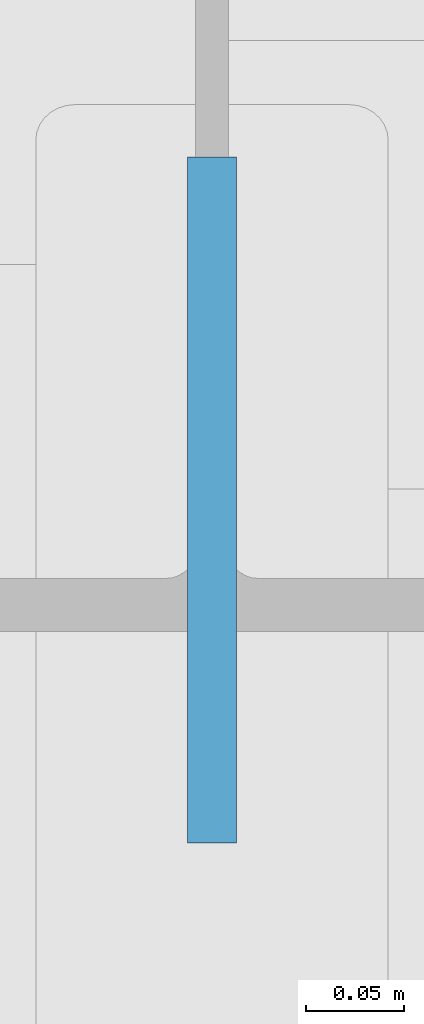
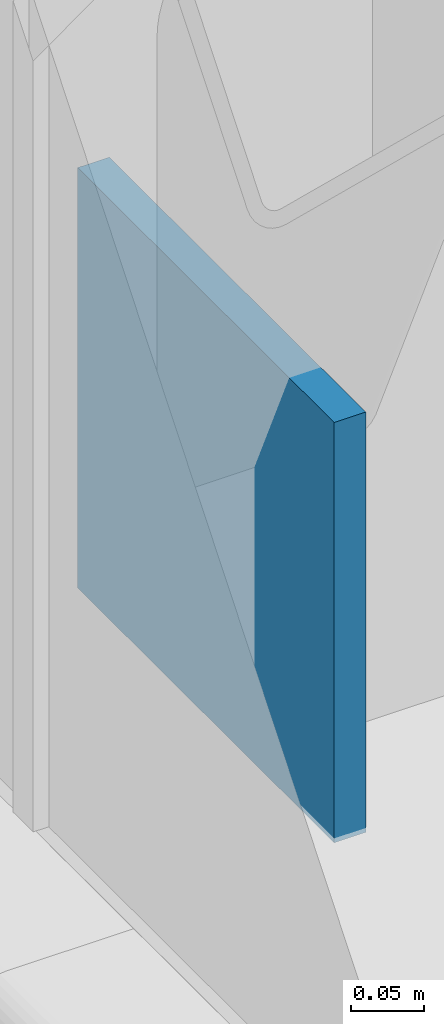
# One storey, part 77 of 105: 1 discrete accessory.
"""IFC4 building model written with IfcOpenShell, lengths in metres."""

from ifc_helpers import new_model, si_unit, direction, frame, origin, origin_2d, place, context, subcontext, project, spatial, rectangle, extrude, material, type_object, element, save


model = new_model("IFC4")

# Units and contexts
model_context = context("Model", 3, precision=1e-05, world=origin(), true_north=direction((0.0, 1.0)))
body_context = subcontext(model_context, "Body", "Model", "MODEL_VIEW")
ifc_project = project(units=[si_unit("LENGTHUNIT", "METRE"), si_unit("AREAUNIT", "SQUARE_METRE"), si_unit("VOLUMEUNIT", "CUBIC_METRE"), si_unit("PLANEANGLEUNIT", "RADIAN"), si_unit("MASSUNIT", "GRAM", prefix="KILO")], contexts=[model_context])

# Site, building, storey
site_placement = place(None, origin())
site = spatial("IfcSite", under=ifc_project, at=site_placement, CompositionType="ELEMENT")
building_placement = place(site_placement, origin())
building = spatial("IfcBuilding", under=site, at=building_placement, Name="Mirzam Square Science Centre", CompositionType="ELEMENT")
storey_placement = place(building_placement, frame((0.0, 0.0, 5.39990234375)))
storey = spatial("IfcBuildingStorey", under=building, at=storey_placement, Name="L01", CompositionType="ELEMENT", Elevation=5.39990234375)

# Discrete accessory
ifc_material = material(Name="Steel S355", Category="steel")
discrete_accessory_type = type_object("IfcDiscreteAccessoryType", Name="BK-BRACE-GUSSET", PredefinedType="BRACKET", material=ifc_material)
discrete_accessory_placement = place(storey_placement, frame((0.0, 49.47998046875, -0.0048828125), z_axis=(0.0, 0.0, 1.0), x_axis=(0.0, 1.0, 0.0)))
element("IfcDiscreteAccessory", 1, at=discrete_accessory_placement, inside=storey, type_object=discrete_accessory_type, Name="L01 brace gusset plate 1B", PredefinedType="BRACKET", context=body_context, shape_type="SweptSolid", body=[
    extrude(rectangle(XDim=0.35009765625, YDim=0.02490234375, at=origin_2d()), origin(), (0.0, 0.0, 1.0), 0.35009765625),
])

save(model, "model.ifc")
